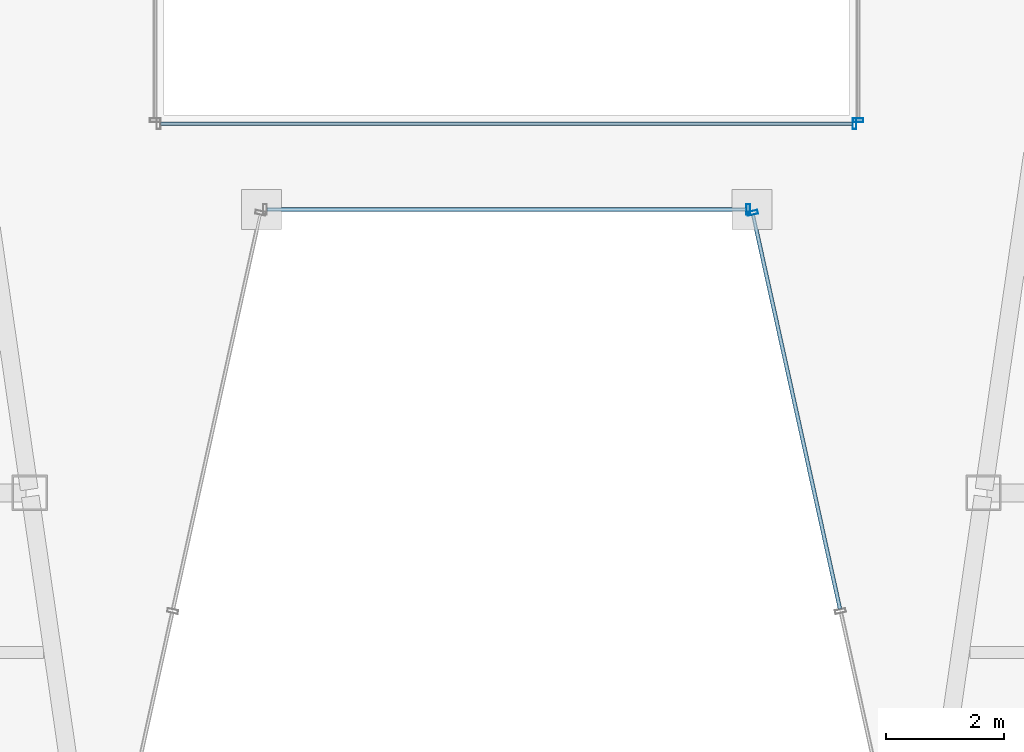
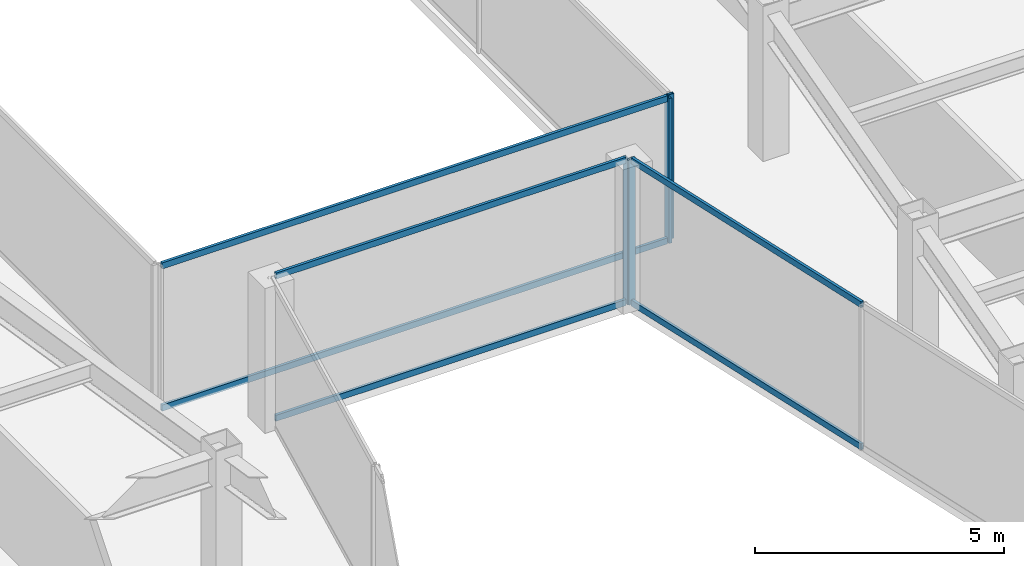
# One storey, part 9 of 40: 10 members, 4 elements without a shape of their own.
"""IFC4 building model written with IfcOpenShell, lengths in metres."""

from ifc_helpers import new_model, si_unit, direction, frame, origin, origin_2d, place, context, subcontext, project, spatial, hollow_rectangle, extrude, material, material_profile, profile_set, type_object, element, aggregate, save


model = new_model("IFC4")

# Units and contexts
model_context = context("Model", 3, precision=1e-05, world=origin(), true_north=direction((0.0, 1.0)))
body_context = subcontext(model_context, "Body", "Model", "MODEL_VIEW")
ifc_project = project(units=[si_unit("LENGTHUNIT", "METRE"), si_unit("AREAUNIT", "SQUARE_METRE"), si_unit("VOLUMEUNIT", "CUBIC_METRE"), si_unit("PLANEANGLEUNIT", "RADIAN"), si_unit("MASSUNIT", "GRAM", prefix="KILO")], contexts=[model_context])

# Site, building, storey
site_placement = place(None, origin())
site = spatial("IfcSite", under=ifc_project, at=site_placement, CompositionType="ELEMENT")
building_placement = place(site_placement, origin())
building = spatial("IfcBuilding", under=site, at=building_placement, Name="Saevonmaru Cultural Tower", CompositionType="ELEMENT")
storey_placement = place(building_placement, frame((0.0, 0.0, 129.60009765625)))
storey = spatial("IfcBuildingStorey", under=building, at=storey_placement, Name="L27", CompositionType="ELEMENT", Elevation=129.60009765625)

# Curtain wall, member
ifc_material = material(Name="Satin Bronze Anodised Aluminium", Category="aluminium")
curtain_wall_type_1 = type_object("IfcCurtainWallType", Name="CW-SKY-GLZ", PredefinedType="NOTDEFINED", material=ifc_material)
curtain_wall_1_placement = place(storey_placement, origin())
curtain_wall_1 = element("IfcCurtainWall", 1, at=curtain_wall_1_placement, inside=storey, type_object=curtain_wall_type_1, Name="L27 Unitised Curtain Wall E4", PredefinedType="NOTDEFINED")
ifc_material_profile_1 = material_profile(ifc_material, hollow_rectangle(XDim=0.06494140625, YDim=0.179931640625, WallThickness=0.00390625, at=origin_2d()), Name="ALU-MULL-180x65x4")
ifc_profile_set_1 = profile_set([ifc_material_profile_1], Name="Satin Bronze Anodised Aluminium")
member_type_1 = type_object("IfcMemberType", Name="ML-CW-180x65", PredefinedType="MULLION", material=ifc_profile_set_1)
member_1_placement = place(storey_placement, frame((34.091064453125, 20.800048828125, 0.0), z_axis=(0.0, 0.0, 1.0), x_axis=(1.0, 0.0, 0.0)))
member_1 = element("IfcMember", 2, at=member_1_placement, type_object=member_type_1, Name="CW-TW-L27-E4 mullion 2", PredefinedType="MULLION", context=body_context, shape_type="SweptSolid", body=[
    extrude(hollow_rectangle(XDim=0.06494140625, YDim=0.179931640625, WallThickness=0.00390625, at=origin_2d()), origin(), (0.0, 0.0, 1.0), 3.5498046875),
])

curtain_wall_2_placement = place(storey_placement, origin())
curtain_wall_2 = element("IfcCurtainWall", 3, at=curtain_wall_2_placement, inside=storey, type_object=curtain_wall_type_1, Name="L27 Unitised Curtain Wall E5", PredefinedType="NOTDEFINED")
member_2_placement = place(storey_placement, frame((34.1640625, 20.741455078125, 0.0), z_axis=(0.0, 0.0, 1.0), x_axis=(0.215413319953, -0.976522965212, 0.0)))
member_2 = element("IfcMember", 4, at=member_2_placement, type_object=member_type_1, Name="CW-TW-L27-E5 mullion 1", PredefinedType="MULLION", context=body_context, shape_type="SweptSolid", body=[
    extrude(hollow_rectangle(XDim=0.06494140625, YDim=0.179931640625, WallThickness=0.00390625, at=origin_2d()), origin(), (0.0, 0.0, 1.0), 3.5498046875),
])

curtain_wall_type_2 = type_object("IfcCurtainWallType", Name="CW-ATR-GLZ", PredefinedType="NOTDEFINED", material=ifc_material)
curtain_wall_3_placement = place(storey_placement, origin())
curtain_wall_3 = element("IfcCurtainWall", 5, at=curtain_wall_3_placement, inside=storey, type_object=curtain_wall_type_2, Name="L27 Vertical Atrium Glazed Smoke Screen 1", PredefinedType="NOTDEFINED")
ifc_material_profile_2 = material_profile(ifc_material, hollow_rectangle(XDim=0.06494140625, YDim=0.179931640625, WallThickness=0.00390625, at=origin_2d()), Name="ALU-MULL-180x65x4")
ifc_profile_set_2 = profile_set([ifc_material_profile_2], Name="Satin Bronze Anodised Aluminium")
member_type_2 = type_object("IfcMemberType", Name="ML-CW-INT-180x65", PredefinedType="MULLION", material=ifc_profile_set_2)
member_3_placement = place(storey_placement, frame((35.889892578125, 22.25, 0.0), z_axis=(0.0, 0.0, 1.0), x_axis=(1.0, 0.0, 0.0)))
member_3 = element("IfcMember", 6, at=member_3_placement, type_object=member_type_2, Name="CW-ATR-L27-1 mullion 2", PredefinedType="MULLION", context=body_context, shape_type="SweptSolid", body=[
    extrude(hollow_rectangle(XDim=0.06494140625, YDim=0.179931640625, WallThickness=0.00390625, at=origin_2d()), origin(), (0.0, 0.0, 1.0), 3.5498046875),
])

curtain_wall_4_placement = place(storey_placement, origin())
curtain_wall_4 = element("IfcCurtainWall", 7, at=curtain_wall_4_placement, inside=storey, type_object=curtain_wall_type_2, Name="L27 Vertical Atrium Glazed Smoke Screen 2", PredefinedType="NOTDEFINED")
member_4_placement = place(storey_placement, frame((35.949951171875, 22.31005859375, 0.0), z_axis=(0.0, 0.0, 1.0), x_axis=(0.0, 1.0, 0.0)))
member_4 = element("IfcMember", 8, at=member_4_placement, type_object=member_type_2, Name="CW-ATR-L27-2 mullion 1", PredefinedType="MULLION", context=body_context, shape_type="SweptSolid", body=[
    extrude(hollow_rectangle(XDim=0.06494140625, YDim=0.179931640625, WallThickness=0.00390625, at=origin_2d()), origin(), (0.0, 0.0, 1.0), 3.5498046875),
])
aggregate(curtain_wall_4, [member_4])

# Member
ifc_material_profile_3 = material_profile(ifc_material, hollow_rectangle(XDim=0.06494140625, YDim=0.14990234375, WallThickness=0.00390625, at=origin_2d()), Name="ALU-TRAN-150x65x4")
ifc_profile_set_3 = profile_set([ifc_material_profile_3], Name="Satin Bronze Anodised Aluminium")
member_type_3 = type_object("IfcMemberType", Name="TR-CW-150x65", PredefinedType="USERDEFINED", material=ifc_profile_set_3)
member_5_placement = place(storey_placement, frame((25.94140625, 20.800048828125, 0.032470703125), z_axis=(1.0, 0.0, 0.0), x_axis=(0.0, 1.0, 0.0)))
member_5 = element("IfcMember", 9, at=member_5_placement, type_object=member_type_3, Name="CW-TW-L27-E4 transom 1.1", ObjectType="TRANSOM", PredefinedType="USERDEFINED", context=body_context, shape_type="SweptSolid", body=[
    extrude(hollow_rectangle(XDim=0.06494140625, YDim=0.14990234375, WallThickness=0.00390625, at=origin_2d()), origin(), (0.0, 0.0, 1.0), 8.1171875),
])

member_6_placement = place(storey_placement, frame((25.94140625, 20.800048828125, 3.517333984375), z_axis=(1.0, 0.0, 0.0), x_axis=(0.0, 1.0, 0.0)))
member_6 = element("IfcMember", 10, at=member_6_placement, type_object=member_type_3, Name="CW-TW-L27-E4 transom 1.2", ObjectType="TRANSOM", PredefinedType="USERDEFINED", context=body_context, shape_type="SweptSolid", body=[
    extrude(hollow_rectangle(XDim=0.06494140625, YDim=0.14990234375, WallThickness=0.00390625, at=origin_2d()), origin(), (0.0, 0.0, 1.0), 8.1171875),
])

aggregate(curtain_wall_1, [member_1, member_5, member_6])

member_7_placement = place(storey_placement, frame((34.1708984375, 20.709716796875, 0.032470703125), z_axis=(0.215418166944, -0.976521895991, 0.0), x_axis=(0.976521895991, 0.215418166944, 0.0)))
member_7 = element("IfcMember", 11, at=member_7_placement, type_object=member_type_3, Name="CW-TW-L27-E5 transom 1.1", ObjectType="TRANSOM", PredefinedType="USERDEFINED", context=body_context, shape_type="SweptSolid", body=[
    extrude(hollow_rectangle(XDim=0.06494140625, YDim=0.14990234375, WallThickness=0.00390625, at=origin_2d()), origin(), (0.0, 0.0, 1.0), 6.838623046875),
])

member_8_placement = place(storey_placement, frame((34.1708984375, 20.709716796875, 3.517333984375), z_axis=(0.215418166944, -0.976521895991, 0.0), x_axis=(0.976521895991, 0.215418166944, 0.0)))
member_8 = element("IfcMember", 12, at=member_8_placement, type_object=member_type_3, Name="CW-TW-L27-E5 transom 1.2", ObjectType="TRANSOM", PredefinedType="USERDEFINED", context=body_context, shape_type="SweptSolid", body=[
    extrude(hollow_rectangle(XDim=0.06494140625, YDim=0.14990234375, WallThickness=0.00390625, at=origin_2d()), origin(), (0.0, 0.0, 1.0), 6.838623046875),
])

aggregate(curtain_wall_2, [member_2, member_7, member_8])

ifc_material_profile_4 = material_profile(ifc_material, hollow_rectangle(XDim=0.06494140625, YDim=0.14990234375, WallThickness=0.00390625, at=origin_2d()), Name="ALU-TRAN-150x65x4")
ifc_profile_set_4 = profile_set([ifc_material_profile_4], Name="Satin Bronze Anodised Aluminium")
member_type_4 = type_object("IfcMemberType", Name="TR-CW-INT-150x65", PredefinedType="USERDEFINED", material=ifc_profile_set_4)
member_9_placement = place(storey_placement, frame((24.142578125, 22.25, 0.032470703125), z_axis=(1.0, 0.0, 0.0), x_axis=(0.0, 1.0, 0.0)))
member_9 = element("IfcMember", 13, at=member_9_placement, type_object=member_type_4, Name="CW-ATR-L27-1 transom 1.1", ObjectType="TRANSOM", PredefinedType="USERDEFINED", context=body_context, shape_type="SweptSolid", body=[
    extrude(hollow_rectangle(XDim=0.06494140625, YDim=0.14990234375, WallThickness=0.00390625, at=origin_2d()), origin(), (0.0, 0.0, 1.0), 11.71484375),
])

member_10_placement = place(storey_placement, frame((24.142578125, 22.25, 3.517333984375), z_axis=(1.0, 0.0, 0.0), x_axis=(0.0, 1.0, 0.0)))
member_10 = element("IfcMember", 14, at=member_10_placement, type_object=member_type_4, Name="CW-ATR-L27-1 transom 1.2", ObjectType="TRANSOM", PredefinedType="USERDEFINED", context=body_context, shape_type="SweptSolid", body=[
    extrude(hollow_rectangle(XDim=0.06494140625, YDim=0.14990234375, WallThickness=0.00390625, at=origin_2d()), origin(), (0.0, 0.0, 1.0), 11.71484375),
])

aggregate(curtain_wall_3, [member_3, member_9, member_10])

save(model, "model.ifc")
